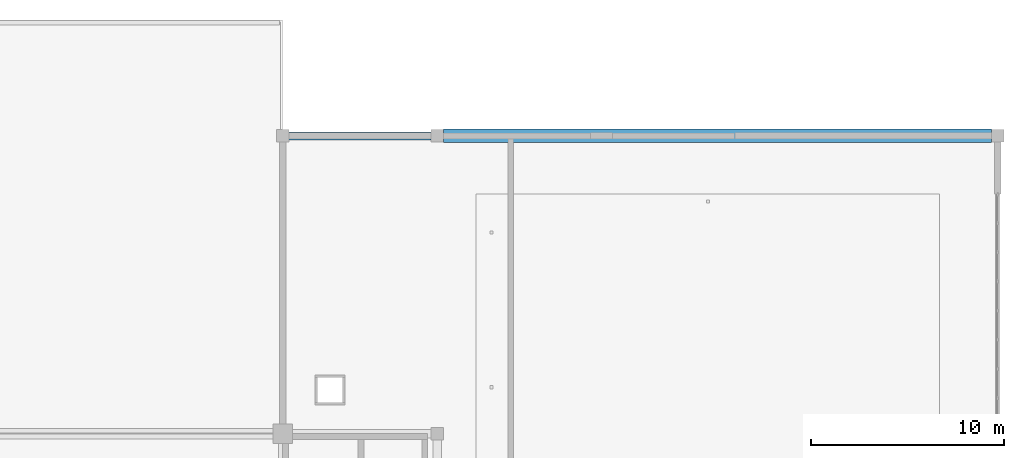
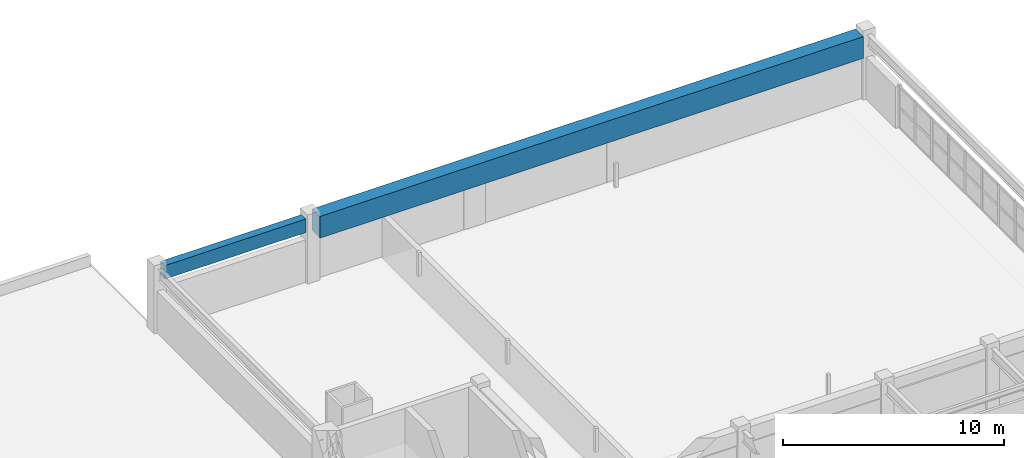
# One storey, part 39 of 74: 2 beams.
"""IFC4 building model written with IfcOpenShell, lengths in metres."""

from ifc_helpers import new_model, si_unit, direction, frame, origin, origin_2d, place, context, subcontext, project, spatial, rectangle, extrude, material, material_profile, profile_set, type_object, element, save


model = new_model("IFC4")

# Units and contexts
model_context = context("Model", 3, precision=1e-05, world=origin(), true_north=direction((0.0, 1.0)))
body_context = subcontext(model_context, "Body", "Model", "MODEL_VIEW")
ifc_project = project(units=[si_unit("LENGTHUNIT", "METRE"), si_unit("AREAUNIT", "SQUARE_METRE"), si_unit("VOLUMEUNIT", "CUBIC_METRE"), si_unit("PLANEANGLEUNIT", "RADIAN"), si_unit("MASSUNIT", "GRAM", prefix="KILO")], contexts=[model_context])

# Site, building, storey
site_placement = place(None, origin())
site = spatial("IfcSite", under=ifc_project, at=site_placement, CompositionType="ELEMENT")
building_placement = place(site_placement, origin())
building = spatial("IfcBuilding", under=site, at=building_placement, Name="Muzn Square Opera House", CompositionType="ELEMENT")
storey_placement = place(building_placement, frame((0.0, 0.0, 14.199951171875)))
storey = spatial("IfcBuildingStorey", under=building, at=storey_placement, Name="L03", CompositionType="ELEMENT", Elevation=14.199951171875)

# Beams
ifc_material = material(Name="Concrete C40/50", Category="concrete")
ifc_material_profile_1 = material_profile(ifc_material, rectangle(XDim=0.699951171875, YDim=1.199951171875, at=origin_2d()), Name="RCB 700x1200", Category="concrete")
ifc_profile_set_1 = profile_set([ifc_material_profile_1], Name="Concrete C40/50")
beam_type_1 = type_object("IfcBeamType", Name="Primary Girder 700x1200", PredefinedType="BEAM", material=ifc_profile_set_1)
beam_1_placement = place(storey_placement, frame((141.31689453125, 114.0, 2.920166015625), z_axis=(1.0, 0.0, 0.0), x_axis=(0.0, 1.0, 0.0)))
element("IfcBeam", 1, at=beam_1_placement, inside=storey, type_object=beam_type_1, Name="Spandrel Beam BM-N114-L03-022", PredefinedType="BEAM", context=body_context, shape_type="SweptSolid", body=[
    extrude(rectangle(XDim=0.699951171875, YDim=1.199951171875, at=origin_2d()), origin(), (0.0, 0.0, 1.0), 28.3662109375),
])
ifc_material_profile_2 = material_profile(ifc_material, rectangle(XDim=0.39990234375, YDim=0.75, at=origin_2d()), Name="RCS 400x750", Category="concrete")
ifc_profile_set_2 = profile_set([ifc_material_profile_2], Name="Concrete C40/50")
beam_type_2 = type_object("IfcBeamType", Name="Spandrel Beam 400x750", PredefinedType="SPANDREL", material=ifc_profile_set_2)
beam_2_placement = place(storey_placement, frame((133.31689453125, 114.0, 3.14501953125), z_axis=(1.0, 0.0, 0.0), x_axis=(0.0, 1.0, 0.0)))
element("IfcBeam", 2, at=beam_2_placement, inside=storey, type_object=beam_type_2, Name="Spandrel Beam BM-N114-L03-021", PredefinedType="SPANDREL", context=body_context, shape_type="SweptSolid", body=[
    extrude(rectangle(XDim=0.39990234375, YDim=0.75, at=origin_2d()), origin(), (0.0, 0.0, 1.0), 7.3662109375),
])

save(model, "model.ifc")
